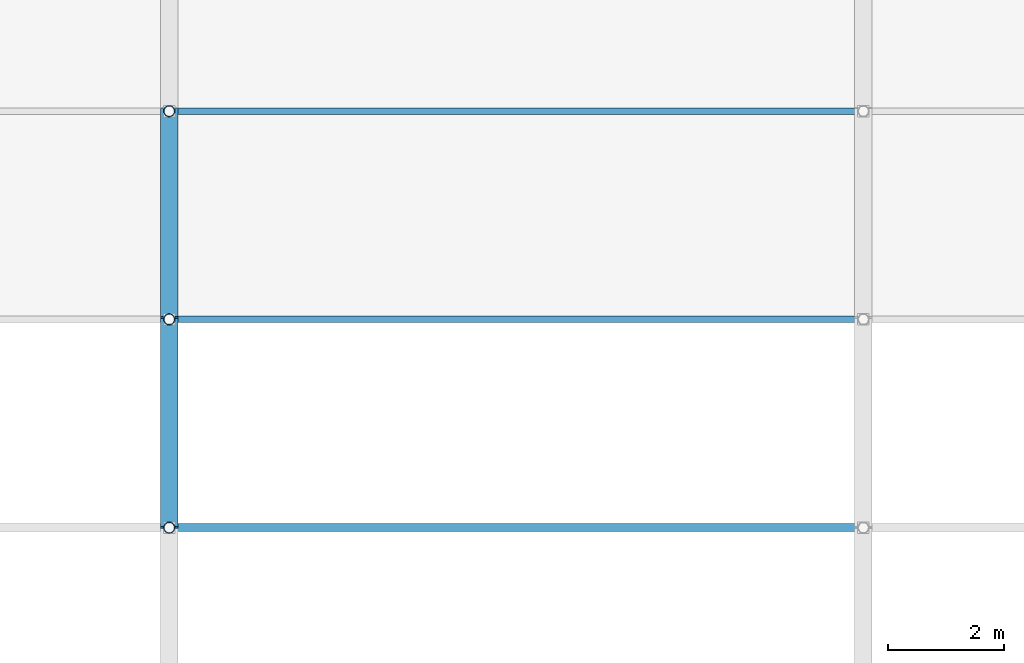
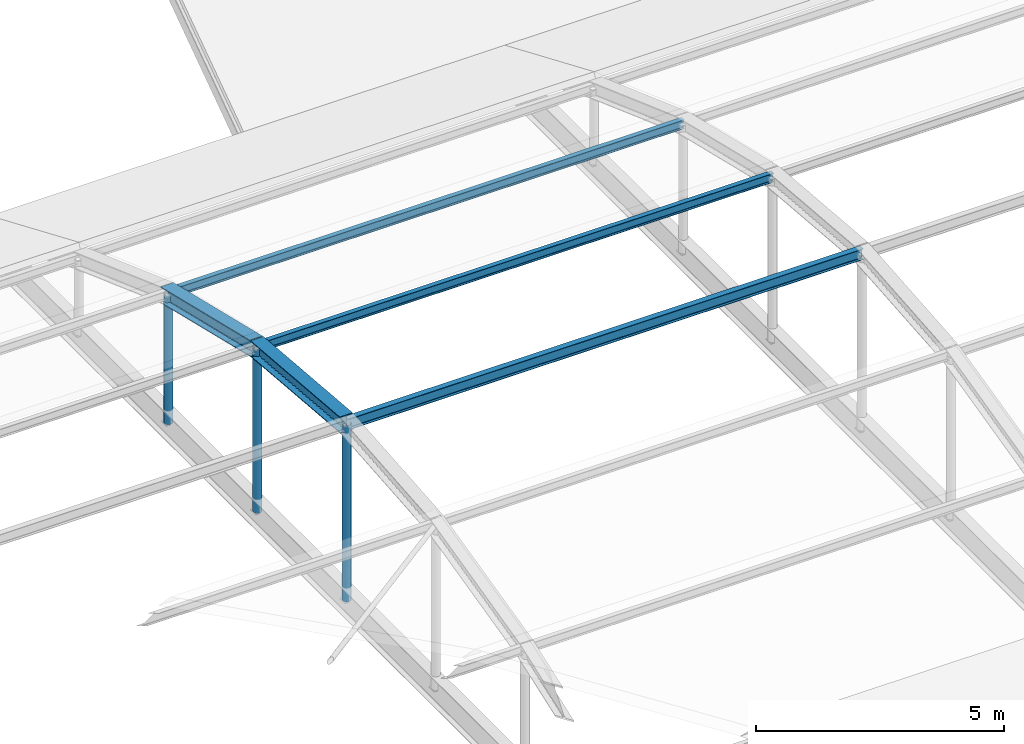
# One storey, part 151 of 239: 6 members, 2 beams.
"""IFC4 building model written with IfcOpenShell, lengths in metres."""

from ifc_helpers import new_model, si_unit, direction, frame, origin, origin_2d, place, context, subcontext, project, spatial, hollow_circle, i_section, extrude, material, material_profile, profile_set, type_object, element, save


model = new_model("IFC4")

# Units and contexts
model_context = context("Model", 3, precision=1e-05, world=origin(), true_north=direction((0.0, 1.0)))
body_context = subcontext(model_context, "Body", "Model", "MODEL_VIEW")
ifc_project = project(units=[si_unit("LENGTHUNIT", "METRE"), si_unit("AREAUNIT", "SQUARE_METRE"), si_unit("VOLUMEUNIT", "CUBIC_METRE"), si_unit("PLANEANGLEUNIT", "RADIAN"), si_unit("MASSUNIT", "GRAM", prefix="KILO")], contexts=[model_context])

# Site, building, storey
site_placement = place(None, origin())
site = spatial("IfcSite", under=ifc_project, at=site_placement, CompositionType="ELEMENT")
building_placement = place(site_placement, origin())
building = spatial("IfcBuilding", under=site, at=building_placement, Name="Dunvalen Ferry Terminal", CompositionType="ELEMENT")
storey_placement = place(building_placement, frame((0.0, 0.0, 9.840087890625)))
storey = spatial("IfcBuildingStorey", under=building, at=storey_placement, Name="L02", CompositionType="ELEMENT", Elevation=9.840087890625)

# Beams
ifc_material = material(Name="Steel S355", Category="steel")
ifc_material_profile_1 = material_profile(ifc_material, i_section(OverallWidth=0.300048828125, OverallDepth=0.389892578125, WebThickness=0.010986328125, FlangeThickness=0.01904296875, FilletRadius=0.027099609375, at=origin_2d()), Name="Steel S355")
ifc_profile_set_1 = profile_set([ifc_material_profile_1], Name="Steel S355")
beam_type = type_object("IfcBeamType", Name="STR-BM-HEA400", PredefinedType="BEAM", material=ifc_profile_set_1)
beam_1_placement = place(storey_placement, frame((120.0, 72.0, 4.0), z_axis=(0.0, 0.996437742755, -0.084331635898), x_axis=(-1.0, 0.0, 0.0)))
element("IfcBeam", 1, at=beam_1_placement, inside=storey, type_object=beam_type, Name="Arrivals Hall Barrel-Vault Arch Rib 02.5", PredefinedType="BEAM", context=body_context, shape_type="SweptSolid", body=[
    extrude(i_section(OverallWidth=0.300048828125, OverallDepth=0.389892578125, WebThickness=0.010986328125, FlangeThickness=0.01904296875, FilletRadius=0.027099609375, at=origin_2d()), origin(), (0.0, 0.0, 1.0), 3.613037109375),
])
beam_2_placement = place(storey_placement, frame((120.0, 75.60009765625, 3.6953125), z_axis=(0.0, 0.972204462661, -0.234133472154), x_axis=(-1.0, 0.0, 0.0)))
element("IfcBeam", 2, at=beam_2_placement, inside=storey, type_object=beam_type, Name="Arrivals Hall Barrel-Vault Arch Rib 02.6", PredefinedType="BEAM", context=body_context, shape_type="SweptSolid", body=[
    extrude(i_section(OverallWidth=0.300048828125, OverallDepth=0.389892578125, WebThickness=0.010986328125, FlangeThickness=0.01904296875, FilletRadius=0.027099609375, at=origin_2d()), origin(), (0.0, 0.0, 1.0), 3.702880859375),
])

# Members
ifc_material_profile_2 = material_profile(ifc_material, hollow_circle(Radius=0.096923828125, WallThickness=0.008056640625, at=origin_2d()), Name="Steel S355")
ifc_profile_set_2 = profile_set([ifc_material_profile_2], Name="Steel S355")
member_type_1 = type_object("IfcMemberType", Name="STR-MB-CHS193", PredefinedType="STRUT", material=ifc_profile_set_2)
member_1_placement = place(storey_placement, frame((120.0, 72.0, -0.340087890625), z_axis=(0.0, 0.0, 1.0), x_axis=(1.0, 0.0, 0.0)))
element("IfcMember", 3, at=member_1_placement, inside=storey, type_object=member_type_1, Name="Arrivals Hall Vault Hanger 02.4", PredefinedType="STRUT", context=body_context, shape_type="SweptSolid", body=[
    extrude(hollow_circle(Radius=0.096923828125, WallThickness=0.008056640625, at=origin_2d()), origin(), (0.0, 0.0, 1.0), 4.340087890625),
])
member_2_placement = place(storey_placement, frame((120.0, 75.60009765625, -0.340087890625), z_axis=(0.0, 0.0, 1.0), x_axis=(1.0, 0.0, 0.0)))
element("IfcMember", 4, at=member_2_placement, inside=storey, type_object=member_type_1, Name="Arrivals Hall Vault Hanger 02.5", PredefinedType="STRUT", context=body_context, shape_type="SweptSolid", body=[
    extrude(hollow_circle(Radius=0.096923828125, WallThickness=0.008056640625, at=origin_2d()), origin(), (0.0, 0.0, 1.0), 4.035400390625),
])
member_3_placement = place(storey_placement, frame((120.0, 79.199951171875, -0.340087890625), z_axis=(0.0, 0.0, 1.0), x_axis=(1.0, 0.0, 0.0)))
element("IfcMember", 5, at=member_3_placement, inside=storey, type_object=member_type_1, Name="Arrivals Hall Vault Hanger 02.6", PredefinedType="STRUT", context=body_context, shape_type="SweptSolid", body=[
    extrude(hollow_circle(Radius=0.096923828125, WallThickness=0.008056640625, at=origin_2d()), origin(), (0.0, 0.0, 1.0), 3.16845703125),
])
ifc_material_profile_3 = material_profile(ifc_material, i_section(OverallWidth=0.110107421875, OverallDepth=0.219970703125, WebThickness=0.005859375, FlangeThickness=0.00927734375, FilletRadius=0.011962890625, at=origin_2d()), Name="Steel S355")
ifc_profile_set_3 = profile_set([ifc_material_profile_3], Name="Steel S355")
member_type_2 = type_object("IfcMemberType", Name="STR-MB-IPE220", PredefinedType="PURLIN", material=ifc_profile_set_3)
for number, where, z_axis, x_axis, name in (
    (6, (120.0, 75.60009765625, 3.6953125), (1.0, 0.0, 0.0), (0.0, 1.0, 0.0), "Arrivals Hall Barrel-Vault Purlin 2.6"),
    (7, (120.0, 79.199951171875, 2.828369140625), (1.0, 0.0, 0.0), (0.0, 1.0, 0.0), "Arrivals Hall Barrel-Vault Purlin 2.7"),
):
    element("IfcMember", number, at=place(storey_placement, frame(where, z_axis=z_axis, x_axis=x_axis)), inside=storey, type_object=member_type_2, Name=name, PredefinedType="PURLIN", context=body_context, shape_type="SweptSolid", body=[
        extrude(i_section(OverallWidth=0.110107421875, OverallDepth=0.219970703125, WebThickness=0.005859375, FlangeThickness=0.00927734375, FilletRadius=0.011962890625, at=origin_2d()), origin(), (0.0, 0.0, 1.0), 12.0),
    ])
ifc_material_profile_4 = material_profile(ifc_material, i_section(OverallWidth=0.135009765625, OverallDepth=0.27001953125, WebThickness=0.006591796875, FlangeThickness=0.01025390625, FilletRadius=0.014892578125, at=origin_2d()), Name="Steel S355")
ifc_profile_set_4 = profile_set([ifc_material_profile_4], Name="Steel S355")
member_type_3 = type_object("IfcMemberType", Name="STR-MB-IPE270", PredefinedType="PURLIN", material=ifc_profile_set_4)
member_4_placement = place(storey_placement, frame((120.0, 72.0, 4.0), z_axis=(1.0, 0.0, 0.0), x_axis=(0.0, 1.0, 0.0)))
element("IfcMember", 8, at=member_4_placement, inside=storey, type_object=member_type_3, Name="Arrivals Hall Barrel-Vault Purlin 2.5", PredefinedType="PURLIN", context=body_context, shape_type="SweptSolid", body=[
    extrude(i_section(OverallWidth=0.135009765625, OverallDepth=0.27001953125, WebThickness=0.006591796875, FlangeThickness=0.01025390625, FilletRadius=0.014892578125, at=origin_2d()), origin(), (0.0, 0.0, 1.0), 12.0),
])

save(model, "model.ifc")
